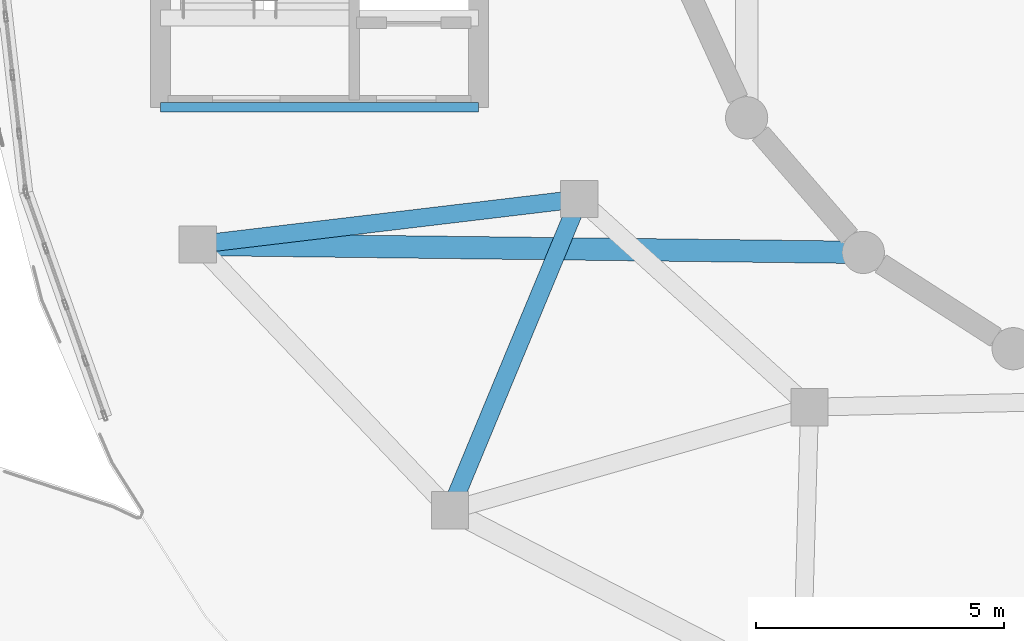
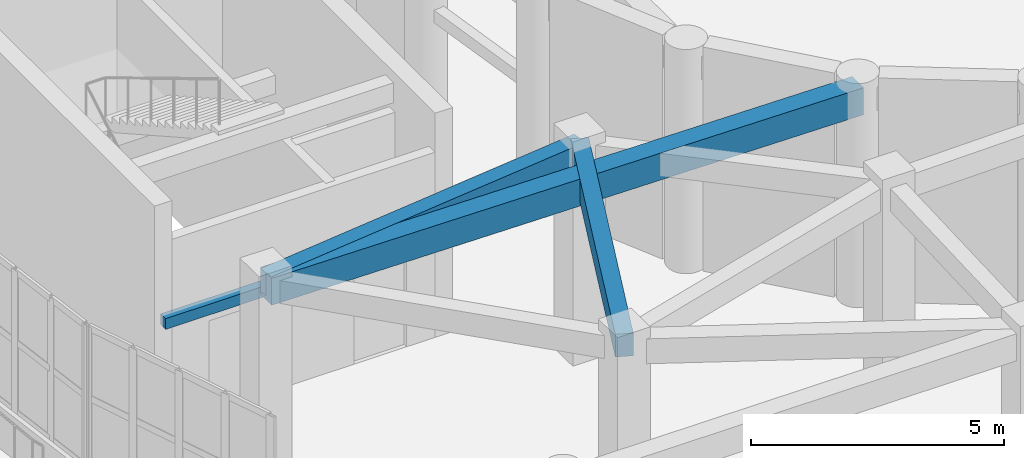
# One storey, part 40 of 96: 4 beams.
"""IFC4 building model written with IfcOpenShell, lengths in metres."""

from ifc_helpers import new_model, si_unit, direction, frame, origin, origin_2d, place, context, subcontext, project, spatial, rectangle, extrude, material, material_profile, profile_set, type_object, element, save


model = new_model("IFC4")

# Units and contexts
model_context = context("Model", 3, precision=1e-05, world=origin(), true_north=direction((0.0, 1.0)))
body_context = subcontext(model_context, "Body", "Model", "MODEL_VIEW")
ifc_project = project(units=[si_unit("LENGTHUNIT", "METRE"), si_unit("AREAUNIT", "SQUARE_METRE"), si_unit("VOLUMEUNIT", "CUBIC_METRE"), si_unit("PLANEANGLEUNIT", "RADIAN"), si_unit("MASSUNIT", "GRAM", prefix="KILO")], contexts=[model_context])

# Site, building, storey
site_placement = place(None, origin())
site = spatial("IfcSite", under=ifc_project, at=site_placement, CompositionType="ELEMENT")
building_placement = place(site_placement, origin())
building = spatial("IfcBuilding", under=site, at=building_placement, Name="Pelvatis Terrace Science Centre", CompositionType="ELEMENT")
storey_placement = place(building_placement, origin())
storey = spatial("IfcBuildingStorey", under=building, at=storey_placement, Name="L00", CompositionType="ELEMENT", Elevation=0.0)

# Beams
ifc_material_1 = material(Name="Concrete C35/45", Category="concrete")
ifc_material_profile_1 = material_profile(ifc_material_1, rectangle(XDim=0.360107421875, YDim=0.550048828125, at=origin_2d()), Name="RC-BM 360x550")
ifc_profile_set_1 = profile_set([ifc_material_profile_1], Name="Concrete C35/45")
beam_type_1 = type_object("IfcBeamType", Name="BM-RC-360x550", PredefinedType="BEAM", material=ifc_profile_set_1)
beam_1_placement = place(storey_placement, frame((87.548583984375, 76.43798828125, 4.864990234375), z_axis=(0.992948179186, 0.118549202657, 0.0), x_axis=(-0.118549202657, 0.992948179186, 0.0)))
element("IfcBeam", 1, at=beam_1_placement, inside=storey, type_object=beam_type_1, Name="Beam BM-L00-2274", PredefinedType="BEAM", context=body_context, shape_type="SweptSolid", body=[
    extrude(rectangle(XDim=0.360107421875, YDim=0.550048828125, at=origin_2d()), origin(), (0.0, 0.0, 1.0), 7.737060546875),
])
beam_2_placement = place(storey_placement, frame((92.62744140625, 71.0849609375, 4.864990234375), z_axis=(0.383504415053, 0.923539042832, 0.0), x_axis=(-0.923539042832, 0.383504415053, 0.0)))
element("IfcBeam", 2, at=beam_2_placement, inside=storey, type_object=beam_type_1, Name="Beam BM-L00-2276", PredefinedType="BEAM", context=body_context, shape_type="SweptSolid", body=[
    extrude(rectangle(XDim=0.360107421875, YDim=0.550048828125, at=origin_2d()), origin(), (0.0, 0.0, 1.0), 6.789306640625),
])
ifc_material_2 = material(Name="Concrete C35/45", Category="concrete")
ifc_material_profile_2 = material_profile(ifc_material_2, rectangle(XDim=0.449951171875, YDim=0.64990234375, at=origin_2d()), Name="RC-BM 450x650")
ifc_profile_set_2 = profile_set([ifc_material_profile_2], Name="Concrete C35/45")
beam_type_2 = type_object("IfcBeamType", Name="BM-RC-450x650", PredefinedType="BEAM", material=ifc_profile_set_2)
beam_3_placement = place(storey_placement, frame((100.94873046875, 76.277587890625, 4.81494140625), z_axis=(-0.999928366679, 0.011969190098, 0.0), x_axis=(-0.011969190098, -0.999928366679, 0.0)))
element("IfcBeam", 3, at=beam_3_placement, inside=storey, type_object=beam_type_2, Name="Beam BM-L00-2192", PredefinedType="BEAM", context=body_context, shape_type="SweptSolid", body=[
    extrude(rectangle(XDim=0.449951171875, YDim=0.64990234375, at=origin_2d()), origin(), (0.0, 0.0, 1.0), 13.401123046875),
])
ifc_material_3 = material(Name="Concrete C35/45", Category="concrete")
ifc_material_profile_3 = material_profile(ifc_material_3, rectangle(XDim=0.199951171875, YDim=0.260009765625, at=origin_2d()), Name="RC-LNT 200x260")
ifc_profile_set_3 = profile_set([ifc_material_profile_3], Name="Concrete C35/45")
beam_type_3 = type_object("IfcBeamType", Name="LNT-RC-200x260", PredefinedType="LINTEL", material=ifc_profile_set_3)
beam_4_placement = place(storey_placement, frame((86.800048828125, 79.199951171875, 2.550048828125), z_axis=(1.0, 0.0, 0.0), x_axis=(0.0, 1.0, 0.0)))
element("IfcBeam", 4, at=beam_4_placement, inside=storey, type_object=beam_type_3, Name="Core C1 lobby structural lintel (L00)", PredefinedType="LINTEL", context=body_context, shape_type="SweptSolid", body=[
    extrude(rectangle(XDim=0.199951171875, YDim=0.260009765625, at=origin_2d()), origin(), (0.0, 0.0, 1.0), 6.39990234375),
])

save(model, "model.ifc")
